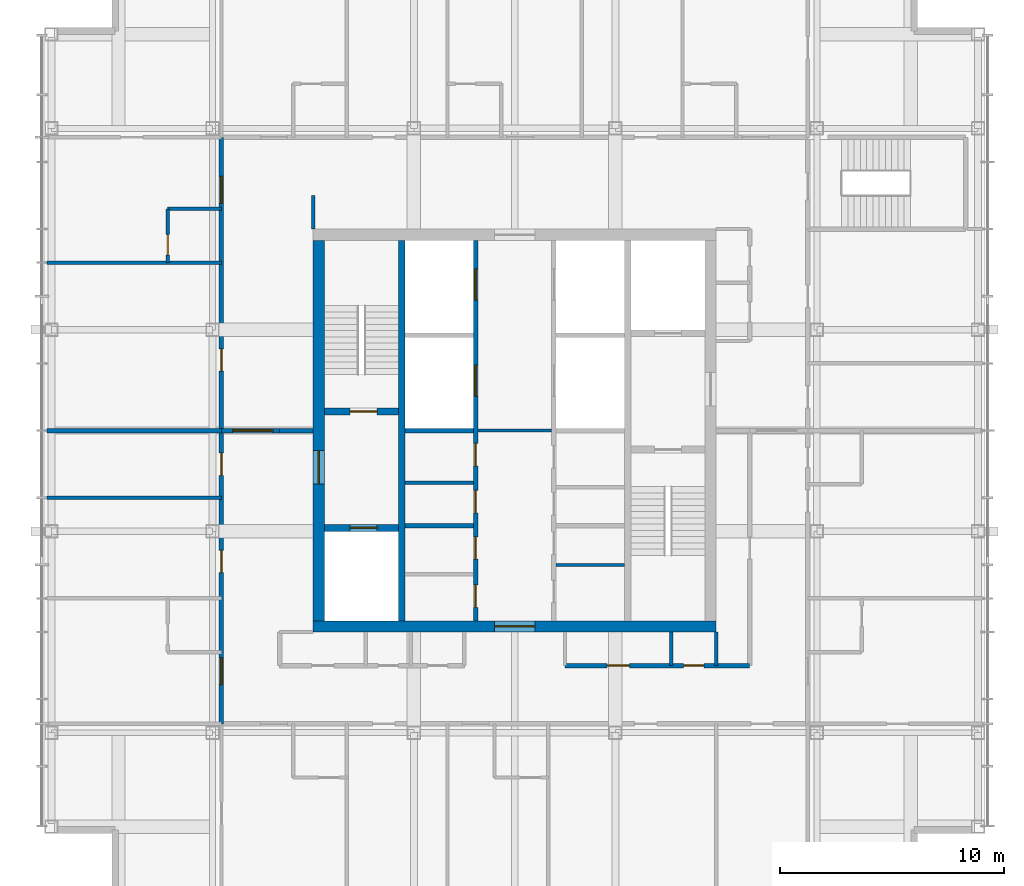
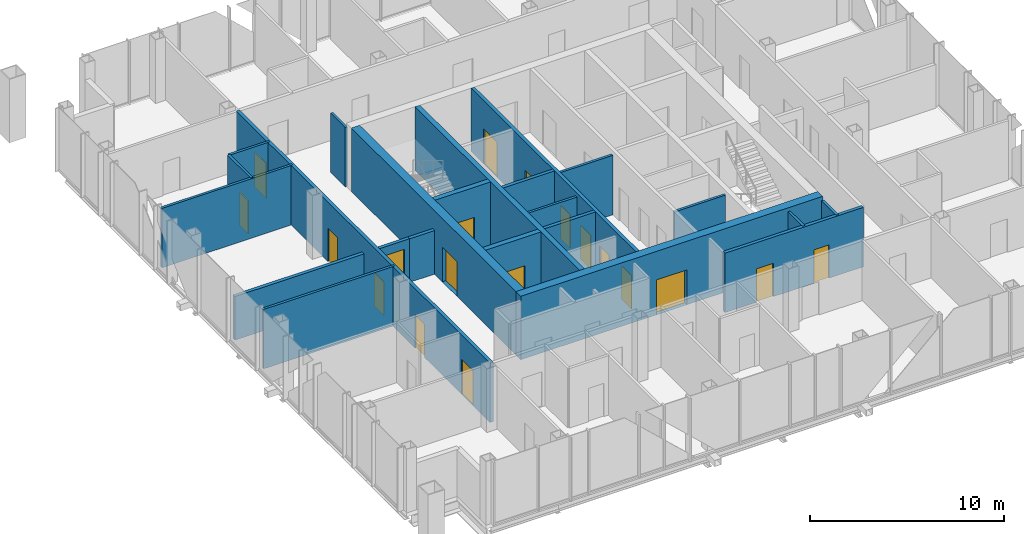
# One storey, part 8 of 13: 23 walls, 19 doors, 19 openings.
"""IFC4 building model written with IfcOpenShell, lengths in metres."""

from ifc_helpers import new_model, si_unit, direction, frame, frame_2d, origin, place, context, subcontext, project, spatial, rectangle, extrude, material, layer, layer_set, type_object, element, fill, save


model = new_model("IFC4")

# Units and contexts
model_context = context("Model", 3, precision=1e-05, world=origin(), true_north=direction((0.0, 1.0)))
body_context = subcontext(model_context, "Body", "Model", "MODEL_VIEW")
ifc_project = project(units=[si_unit("LENGTHUNIT", "METRE"), si_unit("AREAUNIT", "SQUARE_METRE"), si_unit("VOLUMEUNIT", "CUBIC_METRE"), si_unit("PLANEANGLEUNIT", "RADIAN"), si_unit("MASSUNIT", "GRAM", prefix="KILO")], contexts=[model_context])

# Site, building, storey
site_placement = place(None, origin())
site = spatial("IfcSite", under=ifc_project, at=site_placement, CompositionType="ELEMENT")
building_placement = place(site_placement, origin())
building = spatial("IfcBuilding", under=site, at=building_placement, Name="Malebo Sky Hospital", CompositionType="ELEMENT")
storey_placement = place(building_placement, frame((0.0, 0.0, 274.0)))
storey = spatial("IfcBuildingStorey", under=building, at=storey_placement, Name="L66", CompositionType="ELEMENT", Elevation=274.0)

# Wall, openings, doors
ifc_material_1 = material(Name="Concrete C80/95", Category="concrete")
ifc_layer_1 = layer(ifc_material_1, 0.199951171875)
ifc_layer_set_1 = layer_set([ifc_layer_1], Name="CORE INNER WALL 200")
wall_type_1 = type_object("IfcWallType", Name="CORE INNER WALL 200", PredefinedType="SHEAR", material=ifc_layer_set_1)
wall_1_placement = place(storey_placement, frame((58.25, 53.5, 0.0), z_axis=(0.0, 0.0, 1.0), x_axis=(0.0, 1.0, 0.0)))
wall_1 = element("IfcWall", 1, at=wall_1_placement, inside=storey, type_object=wall_type_1, Name="Core wall LW L66", PredefinedType="SHEAR", context=body_context, shape_type="SweptSolid", body=[
    extrude(rectangle(XDim=17.0, YDim=0.199951171875, at=frame_2d((8.5, 0.0))), origin(), (0.0, 0.0, 1.0), 4.0),
])
opening_1_placement = place(wall_1_placement, frame((0.60009765625, 0.0, 0.0)))
opening_1 = element("IfcOpeningElement", 2, at=opening_1_placement, cuts=wall_1, Name="Opening D17", PredefinedType="OPENING", context=body_context, shape_type="SweptSolid", body=[
    extrude(rectangle(XDim=1.0, YDim=2.10009765625, at=frame_2d((0.5, 1.050048828125))), frame((0.0, 0.10986328125, 0.0), z_axis=(0.0, -1.0, 0.0), x_axis=(1.0, 0.0, 0.0)), (0.0, 0.0, 1.0), 0.219970703125),
])
opening_2_placement = place(wall_1_placement, frame((2.75, 0.0, 0.0)))
opening_2 = element("IfcOpeningElement", 3, at=opening_2_placement, cuts=wall_1, Name="Opening D17", PredefinedType="OPENING", context=body_context, shape_type="SweptSolid", body=[
    extrude(rectangle(XDim=1.0, YDim=2.10009765625, at=frame_2d((0.5, 1.050048828125))), frame((0.0, 0.10986328125, 0.0), z_axis=(0.0, -1.0, 0.0), x_axis=(1.0, 0.0, 0.0)), (0.0, 0.0, 1.0), 0.219970703125),
])
opening_3_placement = place(wall_1_placement, frame((4.823974609375, 0.0, 0.0)))
opening_3 = element("IfcOpeningElement", 4, at=opening_3_placement, cuts=wall_1, Name="Opening D17", PredefinedType="OPENING", context=body_context, shape_type="SweptSolid", body=[
    extrude(rectangle(XDim=1.0, YDim=2.10009765625, at=frame_2d((0.5, 1.050048828125))), frame((0.0, 0.10986328125, 0.0), z_axis=(0.0, -1.0, 0.0), x_axis=(1.0, 0.0, 0.0)), (0.0, 0.0, 1.0), 0.219970703125),
])
opening_4_placement = place(wall_1_placement, frame((6.924072265625, 0.0, 0.0)))
opening_4 = element("IfcOpeningElement", 5, at=opening_4_placement, cuts=wall_1, Name="Opening D17", PredefinedType="OPENING", context=body_context, shape_type="SweptSolid", body=[
    extrude(rectangle(XDim=1.0, YDim=2.10009765625, at=frame_2d((0.5, 1.050048828125))), frame((0.0, 0.10986328125, 0.0), z_axis=(0.0, -1.0, 0.0), x_axis=(1.0, 0.0, 0.0)), (0.0, 0.0, 1.0), 0.219970703125),
])
opening_5_placement = place(wall_1_placement, frame((10.02490234375, 0.0, 0.0)))
opening_5 = element("IfcOpeningElement", 6, at=opening_5_placement, cuts=wall_1, Name="Opening LD1", PredefinedType="OPENING", context=body_context, shape_type="SweptSolid", body=[
    extrude(rectangle(XDim=1.39990234375, YDim=2.199951171875, at=frame_2d((0.699951171875, 1.10009765625))), frame((0.0, 0.10986328125, 0.0), z_axis=(0.0, -1.0, 0.0), x_axis=(1.0, 0.0, 0.0)), (0.0, 0.0, 1.0), 0.219970703125),
])
opening_6_placement = place(wall_1_placement, frame((14.324951171875, 0.0, 0.0)))
opening_6 = element("IfcOpeningElement", 7, at=opening_6_placement, cuts=wall_1, Name="Opening LD1", PredefinedType="OPENING", context=body_context, shape_type="SweptSolid", body=[
    extrude(rectangle(XDim=1.39990234375, YDim=2.199951171875, at=frame_2d((0.699951171875, 1.10009765625))), frame((0.0, 0.10986328125, 0.0), z_axis=(0.0, -1.0, 0.0), x_axis=(1.0, 0.0, 0.0)), (0.0, 0.0, 1.0), 0.219970703125),
])
ifc_material_2 = material(Name="Hardwood-faced door leaf in steel frame", Category="steel")
door_type_1 = type_object("IfcDoorType", Name="FIRE DOOR 1000", OperationType="SINGLE_SWING_LEFT", PredefinedType="DOOR", material=ifc_material_2)
door_1_placement = place(opening_1_placement, origin())
door_1 = element("IfcDoor", 8, at=door_1_placement, inside=storey, type_object=door_type_1, Name="Equipment store door", OperationType="SINGLE_SWING_RIGHT", OverallHeight=2.10009765625, OverallWidth=1.0, PredefinedType="DOOR", context=body_context, shape_type="SweptSolid", body=[
    extrude(rectangle(XDim=1.0, YDim=2.10009765625, at=frame_2d((0.5, 1.050048828125))), frame((0.0, 0.02490234375, 0.0), z_axis=(0.0, -1.0, 0.0), x_axis=(1.0, 0.0, 0.0)), (0.0, 0.0, 1.0), 0.050048828125),
])
fill(opening_1, door_1)
door_2_placement = place(opening_2_placement, origin())
door_2 = element("IfcDoor", 9, at=door_2_placement, inside=storey, type_object=door_type_1, Name="Linen store door", OperationType="SINGLE_SWING_RIGHT", OverallHeight=2.10009765625, OverallWidth=1.0, PredefinedType="DOOR", context=body_context, shape_type="SweptSolid", body=[
    extrude(rectangle(XDim=1.0, YDim=2.10009765625, at=frame_2d((0.5, 1.050048828125))), frame((0.0, 0.02490234375, 0.0), z_axis=(0.0, -1.0, 0.0), x_axis=(1.0, 0.0, 0.0)), (0.0, 0.0, 1.0), 0.050048828125),
])
fill(opening_2, door_2)
door_3_placement = place(opening_3_placement, origin())
door_3 = element("IfcDoor", 10, at=door_3_placement, inside=storey, type_object=door_type_1, Name="Supplies store door", OperationType="SINGLE_SWING_RIGHT", OverallHeight=2.10009765625, OverallWidth=1.0, PredefinedType="DOOR", context=body_context, shape_type="SweptSolid", body=[
    extrude(rectangle(XDim=1.0, YDim=2.10009765625, at=frame_2d((0.5, 1.050048828125))), frame((0.0, 0.02490234375, 0.0), z_axis=(0.0, -1.0, 0.0), x_axis=(1.0, 0.0, 0.0)), (0.0, 0.0, 1.0), 0.050048828125),
])
fill(opening_3, door_3)
door_4_placement = place(opening_4_placement, origin())
door_4 = element("IfcDoor", 11, at=door_4_placement, inside=storey, type_object=door_type_1, Name="Mattress store door", OperationType="SINGLE_SWING_RIGHT", OverallHeight=2.10009765625, OverallWidth=1.0, PredefinedType="DOOR", context=body_context, shape_type="SweptSolid", body=[
    extrude(rectangle(XDim=1.0, YDim=2.10009765625, at=frame_2d((0.5, 1.050048828125))), frame((0.0, 0.02490234375, 0.0), z_axis=(0.0, -1.0, 0.0), x_axis=(1.0, 0.0, 0.0)), (0.0, 0.0, 1.0), 0.050048828125),
])
fill(opening_4, door_4)
ifc_material_3 = material(Name="Stainless steel sliding landing door", Category="steel")
door_type_2 = type_object("IfcDoorType", Name="LIFT LANDING DOOR 1400", OperationType="SLIDING_TO_LEFT", PredefinedType="DOOR", material=ifc_material_3)
door_5_placement = place(opening_5_placement, origin())
door_5 = element("IfcDoor", 12, at=door_5_placement, inside=storey, type_object=door_type_2, Name="Lift W3 landing door", OperationType="SLIDING_TO_LEFT", OverallHeight=2.199951171875, OverallWidth=1.39990234375, PredefinedType="DOOR", context=body_context, shape_type="SweptSolid", body=[
    extrude(rectangle(XDim=1.39990234375, YDim=2.199951171875, at=frame_2d((0.699951171875, 1.10009765625))), frame((0.0, 0.02490234375, 0.0), z_axis=(0.0, -1.0, 0.0), x_axis=(1.0, 0.0, 0.0)), (0.0, 0.0, 1.0), 0.050048828125),
])
fill(opening_5, door_5)
door_6_placement = place(opening_6_placement, origin())
door_6 = element("IfcDoor", 13, at=door_6_placement, inside=storey, type_object=door_type_2, Name="Lift W4 landing door", OperationType="SLIDING_TO_LEFT", OverallHeight=2.199951171875, OverallWidth=1.39990234375, PredefinedType="DOOR", context=body_context, shape_type="SweptSolid", body=[
    extrude(rectangle(XDim=1.39990234375, YDim=2.199951171875, at=frame_2d((0.699951171875, 1.10009765625))), frame((0.0, 0.02490234375, 0.0), z_axis=(0.0, -1.0, 0.0), x_axis=(1.0, 0.0, 0.0)), (0.0, 0.0, 1.0), 0.050048828125),
])
fill(opening_6, door_6)

# Walls
for number, where, z_axis, x_axis, name in (
    (14, (55.10009765625, 57.75, 0.0), (0.0, 0.0, 1.0), (1.0, 0.0, 0.0), "Core wall SW0 L66"),
    (15, (55.10009765625, 62.0, 0.0), (0.0, 0.0, 1.0), (1.0, 0.0, 0.0), "Core wall SW1 L66"),
):
    element("IfcWall", number, at=place(storey_placement, frame(where, z_axis=z_axis, x_axis=x_axis)), inside=storey, type_object=wall_type_1, Name=name, PredefinedType="SHEAR", context=body_context, shape_type="SweptSolid", body=[
        extrude(rectangle(XDim=3.0498046875, YDim=0.199951171875, at=frame_2d((1.52490234375, 0.0))), origin(), (0.0, 0.0, 1.0), 4.0),
    ])
ifc_layer_2 = layer(ifc_material_1, 0.300048828125)
ifc_layer_set_2 = layer_set([ifc_layer_2], Name="CORE INNER WALL 300")
wall_type_2 = type_object("IfcWallType", Name="CORE INNER WALL 300", PredefinedType="SHEAR", material=ifc_layer_set_2)
wall_2_placement = place(storey_placement, frame((54.949951171875, 53.5, 0.0), z_axis=(0.0, 0.0, 1.0), x_axis=(0.0, 1.0, 0.0)))
element("IfcWall", 16, at=wall_2_placement, inside=storey, type_object=wall_type_2, Name="Core wall XW L66", PredefinedType="SHEAR", context=body_context, shape_type="SweptSolid", body=[
    extrude(rectangle(XDim=17.0, YDim=0.300048828125, at=frame_2d((8.5, 0.0))), origin(), (0.0, 0.0, 1.0), 4.0),
])

# Wall, opening, door
wall_3_placement = place(storey_placement, frame((51.5, 62.85009765625, 0.0), z_axis=(0.0, 0.0, 1.0), x_axis=(1.0, 0.0, 0.0)))
wall_3 = element("IfcWall", 17, at=wall_3_placement, inside=storey, type_object=wall_type_2, Name="Core wall W1 L66", PredefinedType="SHEAR", context=body_context, shape_type="SweptSolid", body=[
    extrude(rectangle(XDim=3.300048828125, YDim=0.300048828125, at=frame_2d((1.64990234375, 0.0))), origin(), (0.0, 0.0, 1.0), 4.0),
])
opening_7_placement = place(wall_3_placement, frame((1.14990234375, 0.0, 0.0)))
opening_7 = element("IfcOpeningElement", 18, at=opening_7_placement, cuts=wall_3, Name="Opening D08", PredefinedType="OPENING", context=body_context, shape_type="SweptSolid", body=[
    extrude(rectangle(XDim=1.199951171875, YDim=2.10009765625, at=frame_2d((0.60009765625, 1.050048828125))), frame((0.0, 0.159912109375, 0.0), z_axis=(0.0, -1.0, 0.0), x_axis=(1.0, 0.0, 0.0)), (0.0, 0.0, 1.0), 0.320068359375),
])
door_type_3 = type_object("IfcDoorType", Name="STAIR DOOR 1200", OperationType="SINGLE_SWING_LEFT", PredefinedType="DOOR", material=ifc_material_2)
door_7_placement = place(opening_7_placement, origin())
door_7 = element("IfcDoor", 19, at=door_7_placement, inside=storey, type_object=door_type_3, Name="Stair S1 door", OperationType="SINGLE_SWING_RIGHT", OverallHeight=2.10009765625, OverallWidth=1.199951171875, PredefinedType="DOOR", context=body_context, shape_type="SweptSolid", body=[
    extrude(rectangle(XDim=1.199951171875, YDim=2.10009765625, at=frame_2d((0.60009765625, 1.050048828125))), frame((0.0, 0.02490234375, 0.0), z_axis=(0.0, -1.0, 0.0), x_axis=(1.0, 0.0, 0.0)), (0.0, 0.0, 1.0), 0.050048828125),
])
fill(opening_7, door_7)

wall_4_placement = place(storey_placement, frame((51.5, 57.64990234375, 0.0), z_axis=(0.0, 0.0, 1.0), x_axis=(1.0, 0.0, 0.0)))
wall_4 = element("IfcWall", 20, at=wall_4_placement, inside=storey, type_object=wall_type_2, Name="Core wall W2 L66", PredefinedType="SHEAR", context=body_context, shape_type="SweptSolid", body=[
    extrude(rectangle(XDim=3.300048828125, YDim=0.300048828125, at=frame_2d((1.64990234375, 0.0))), origin(), (0.0, 0.0, 1.0), 4.0),
])
opening_8_placement = place(wall_4_placement, frame((1.14990234375, 0.0, 0.0)))
opening_8 = element("IfcOpeningElement", 21, at=opening_8_placement, cuts=wall_4, Name="Opening LD2", PredefinedType="OPENING", context=body_context, shape_type="SweptSolid", body=[
    extrude(rectangle(XDim=1.199951171875, YDim=2.199951171875, at=frame_2d((0.60009765625, 1.10009765625))), frame((0.0, 0.159912109375, 0.0), z_axis=(0.0, -1.0, 0.0), x_axis=(1.0, 0.0, 0.0)), (0.0, 0.0, 1.0), 0.320068359375),
])
door_type_4 = type_object("IfcDoorType", Name="FIRE-FIGHTING LIFT LANDING DOOR 1200", OperationType="SLIDING_TO_LEFT", PredefinedType="DOOR", material=ifc_material_3)
door_8_placement = place(opening_8_placement, origin())
door_8 = element("IfcDoor", 22, at=door_8_placement, inside=storey, type_object=door_type_4, Name="Lift FL1 landing door", OperationType="SLIDING_TO_LEFT", OverallHeight=2.199951171875, OverallWidth=1.199951171875, PredefinedType="DOOR", context=body_context, shape_type="SweptSolid", body=[
    extrude(rectangle(XDim=1.199951171875, YDim=2.199951171875, at=frame_2d((0.60009765625, 1.10009765625))), frame((0.0, 0.02490234375, 0.0), z_axis=(0.0, -1.0, 0.0), x_axis=(1.0, 0.0, 0.0)), (0.0, 0.0, 1.0), 0.050048828125),
])
fill(opening_8, door_8)

ifc_layer_3 = layer(ifc_material_1, 0.5)
ifc_layer_set_3 = layer_set([ifc_layer_3], Name="CORE WALL 500")
wall_type_3 = type_object("IfcWallType", Name="CORE WALL 500", PredefinedType="SHEAR", material=ifc_layer_set_3)
wall_5_placement = place(storey_placement, frame((51.0, 53.25, 0.0), z_axis=(0.0, 0.0, 1.0), x_axis=(1.0, 0.0, 0.0)))
wall_5 = element("IfcWall", 23, at=wall_5_placement, inside=storey, type_object=wall_type_3, Name="Core wall S L66", PredefinedType="SHEAR", context=body_context, shape_type="SweptSolid", body=[
    extrude(rectangle(XDim=18.0, YDim=0.5, at=frame_2d((9.0, 0.0))), origin(), (0.0, 0.0, 1.0), 4.0),
])
opening_9_placement = place(wall_5_placement, frame((8.10009765625, 0.0, 0.0)))
opening_9 = element("IfcOpeningElement", 24, at=opening_9_placement, cuts=wall_5, Name="Opening D06", PredefinedType="OPENING", context=body_context, shape_type="SweptSolid", body=[
    extrude(rectangle(XDim=1.800048828125, YDim=2.199951171875, at=frame_2d((0.89990234375, 1.10009765625))), frame((0.0, 0.260009765625, 0.0), z_axis=(0.0, -1.0, 0.0), x_axis=(1.0, 0.0, 0.0)), (0.0, 0.0, 1.0), 0.52001953125),
])
door_type_5 = type_object("IfcDoorType", Name="LOBBY DOOR PAIR 1800", OperationType="DOUBLE_DOOR_SINGLE_SWING", PredefinedType="DOOR", material=ifc_material_2)
door_9_placement = place(opening_9_placement, origin())
door_9 = element("IfcDoor", 25, at=door_9_placement, inside=storey, type_object=door_type_5, Name="Service lobby door south", OperationType="DOUBLE_DOOR_SINGLE_SWING", OverallHeight=2.199951171875, OverallWidth=1.800048828125, PredefinedType="DOOR", context=body_context, shape_type="SweptSolid", body=[
    extrude(rectangle(XDim=1.800048828125, YDim=2.199951171875, at=frame_2d((0.89990234375, 1.10009765625))), frame((0.0, 0.02490234375, 0.0), z_axis=(0.0, -1.0, 0.0), x_axis=(1.0, 0.0, 0.0)), (0.0, 0.0, 1.0), 0.050048828125),
])
fill(opening_9, door_9)

wall_6_placement = place(storey_placement, frame((51.25, 53.5, 0.0), z_axis=(0.0, 0.0, 1.0), x_axis=(0.0, 1.0, 0.0)))
wall_6 = element("IfcWall", 26, at=wall_6_placement, inside=storey, type_object=wall_type_3, Name="Core wall W L66", PredefinedType="SHEAR", context=body_context, shape_type="SweptSolid", body=[
    extrude(rectangle(XDim=17.0, YDim=0.5, at=frame_2d((8.5, 0.0))), origin(), (0.0, 0.0, 1.0), 4.0),
])
opening_10_placement = place(wall_6_placement, frame((6.10009765625, 0.0, 0.0)))
opening_10 = element("IfcOpeningElement", 27, at=opening_10_placement, cuts=wall_6, Name="Opening D07", PredefinedType="OPENING", context=body_context, shape_type="SweptSolid", body=[
    extrude(rectangle(XDim=1.5, YDim=2.199951171875, at=frame_2d((0.75, 1.10009765625))), frame((0.0, 0.260009765625, 0.0), z_axis=(0.0, -1.0, 0.0), x_axis=(1.0, 0.0, 0.0)), (0.0, 0.0, 1.0), 0.52001953125),
])
door_type_6 = type_object("IfcDoorType", Name="FIRE-FIGHTING LOBBY DOOR PAIR 1500", OperationType="DOUBLE_DOOR_SINGLE_SWING", PredefinedType="DOOR", material=ifc_material_2)
door_10_placement = place(opening_10_placement, origin())
door_10 = element("IfcDoor", 28, at=door_10_placement, inside=storey, type_object=door_type_6, Name="Fire-fighting lobby door west", OperationType="DOUBLE_DOOR_SINGLE_SWING", OverallHeight=2.199951171875, OverallWidth=1.5, PredefinedType="DOOR", context=body_context, shape_type="SweptSolid", body=[
    extrude(rectangle(XDim=1.5, YDim=2.199951171875, at=frame_2d((0.75, 1.10009765625))), frame((0.0, 0.02490234375, 0.0), z_axis=(0.0, -1.0, 0.0), x_axis=(1.0, 0.0, 0.0)), (0.0, 0.0, 1.0), 0.050048828125),
])
fill(opening_10, door_10)

# Wall, openings, doors
ifc_material_4 = material(Name="Gypsum board on steel studs", Category="steel")
ifc_layer_4 = layer(ifc_material_4, 0.199951171875)
ifc_layer_set_4 = layer_set([ifc_layer_4], Name="CORRIDOR WALL 200")
wall_type_4 = type_object("IfcWallType", Name="CORRIDOR WALL 200", PredefinedType="PARTITIONING", material=ifc_layer_set_4)
wall_7_placement = place(storey_placement, frame((46.89990234375, 48.89990234375, 0.0), z_axis=(0.0, 0.0, 1.0), x_axis=(0.0, 1.0, 0.0)))
wall_7 = element("IfcWall", 29, at=wall_7_placement, inside=storey, type_object=wall_type_4, Name="Corridor Wall 200 WCO", PredefinedType="PARTITIONING", context=body_context, shape_type="SweptSolid", body=[
    extrude(rectangle(XDim=26.2001953125, YDim=0.199951171875, at=frame_2d((13.10009765625, 0.0))), origin(), (0.0, 0.0, 1.0), 3.75),
])
opening_11_placement = place(wall_7_placement, frame((1.75, 0.0, 0.0)))
opening_11 = element("IfcOpeningElement", 30, at=opening_11_placement, cuts=wall_7, Name="Opening D01", PredefinedType="OPENING", context=body_context, shape_type="SweptSolid", body=[
    extrude(rectangle(XDim=1.199951171875, YDim=2.199951171875, at=frame_2d((0.60009765625, 1.10009765625))), frame((0.0, 0.10986328125, 0.0), z_axis=(0.0, -1.0, 0.0), x_axis=(1.0, 0.0, 0.0)), (0.0, 0.0, 1.0), 0.219970703125),
])
opening_12_placement = place(wall_7_placement, frame((6.75, 0.0, 0.0)))
opening_12 = element("IfcOpeningElement", 31, at=opening_12_placement, cuts=wall_7, Name="Opening D03", PredefinedType="OPENING", context=body_context, shape_type="SweptSolid", body=[
    extrude(rectangle(XDim=1.0, YDim=2.10009765625, at=frame_2d((0.5, 1.050048828125))), frame((0.0, 0.10986328125, 0.0), z_axis=(0.0, -1.0, 0.0), x_axis=(1.0, 0.0, 0.0)), (0.0, 0.0, 1.0), 0.219970703125),
])
opening_13_placement = place(wall_7_placement, frame((11.10009765625, 0.0, 0.0)))
opening_13 = element("IfcOpeningElement", 32, at=opening_13_placement, cuts=wall_7, Name="Opening D03", PredefinedType="OPENING", context=body_context, shape_type="SweptSolid", body=[
    extrude(rectangle(XDim=1.0, YDim=2.10009765625, at=frame_2d((0.5, 1.050048828125))), frame((0.0, 0.10986328125, 0.0), z_axis=(0.0, -1.0, 0.0), x_axis=(1.0, 0.0, 0.0)), (0.0, 0.0, 1.0), 0.219970703125),
])
opening_14_placement = place(wall_7_placement, frame((15.75, 0.0, 0.0)))
opening_14 = element("IfcOpeningElement", 33, at=opening_14_placement, cuts=wall_7, Name="Opening D03", PredefinedType="OPENING", context=body_context, shape_type="SweptSolid", body=[
    extrude(rectangle(XDim=1.0, YDim=2.10009765625, at=frame_2d((0.5, 1.050048828125))), frame((0.0, 0.10986328125, 0.0), z_axis=(0.0, -1.0, 0.0), x_axis=(1.0, 0.0, 0.0)), (0.0, 0.0, 1.0), 0.219970703125),
])
opening_15_placement = place(wall_7_placement, frame((23.25, 0.0, 0.0)))
opening_15 = element("IfcOpeningElement", 34, at=opening_15_placement, cuts=wall_7, Name="Opening D01", PredefinedType="OPENING", context=body_context, shape_type="SweptSolid", body=[
    extrude(rectangle(XDim=1.199951171875, YDim=2.199951171875, at=frame_2d((0.60009765625, 1.10009765625))), frame((0.0, 0.10986328125, 0.0), z_axis=(0.0, -1.0, 0.0), x_axis=(1.0, 0.0, 0.0)), (0.0, 0.0, 1.0), 0.219970703125),
])
door_type_7 = type_object("IfcDoorType", Name="BED DOOR 1200", OperationType="SINGLE_SWING_LEFT", PredefinedType="DOOR", material=ifc_material_2)
door_11_placement = place(opening_11_placement, origin())
door_11 = element("IfcDoor", 35, at=door_11_placement, inside=storey, type_object=door_type_7, Name="Private patient suite door", OperationType="SINGLE_SWING_RIGHT", OverallHeight=2.199951171875, OverallWidth=1.199951171875, PredefinedType="DOOR", context=body_context, shape_type="SweptSolid", body=[
    extrude(rectangle(XDim=1.199951171875, YDim=2.199951171875, at=frame_2d((0.60009765625, 1.10009765625))), frame((0.0, 0.02490234375, 0.0), z_axis=(0.0, -1.0, 0.0), x_axis=(1.0, 0.0, 0.0)), (0.0, 0.0, 1.0), 0.050048828125),
])
fill(opening_11, door_11)
door_12_placement = place(opening_15_placement, origin())
door_12 = element("IfcDoor", 36, at=door_12_placement, inside=storey, type_object=door_type_7, Name="Private patient suite door", OperationType="SINGLE_SWING_LEFT", OverallHeight=2.199951171875, OverallWidth=1.199951171875, PredefinedType="DOOR", context=body_context, shape_type="SweptSolid", body=[
    extrude(rectangle(XDim=1.199951171875, YDim=2.199951171875, at=frame_2d((0.60009765625, 1.10009765625))), frame((0.0, 0.02490234375, 0.0), z_axis=(0.0, -1.0, 0.0), x_axis=(1.0, 0.0, 0.0)), (0.0, 0.0, 1.0), 0.050048828125),
])
fill(opening_15, door_12)
door_type_8 = type_object("IfcDoorType", Name="ROOM DOOR 1000", OperationType="SINGLE_SWING_LEFT", PredefinedType="DOOR", material=ifc_material_2)
door_13_placement = place(opening_12_placement, origin())
door_13 = element("IfcDoor", 37, at=door_13_placement, inside=storey, type_object=door_type_8, Name="Clean utility room door", OperationType="SINGLE_SWING_LEFT", OverallHeight=2.10009765625, OverallWidth=1.0, PredefinedType="DOOR", context=body_context, shape_type="SweptSolid", body=[
    extrude(rectangle(XDim=1.0, YDim=2.10009765625, at=frame_2d((0.5, 1.050048828125))), frame((0.0, 0.02490234375, 0.0), z_axis=(0.0, -1.0, 0.0), x_axis=(1.0, 0.0, 0.0)), (0.0, 0.0, 1.0), 0.050048828125),
])
fill(opening_12, door_13)
door_14_placement = place(opening_13_placement, origin())
door_14 = element("IfcDoor", 38, at=door_14_placement, inside=storey, type_object=door_type_8, Name="Medication room door", OperationType="SINGLE_SWING_RIGHT", OverallHeight=2.10009765625, OverallWidth=1.0, PredefinedType="DOOR", context=body_context, shape_type="SweptSolid", body=[
    extrude(rectangle(XDim=1.0, YDim=2.10009765625, at=frame_2d((0.5, 1.050048828125))), frame((0.0, 0.02490234375, 0.0), z_axis=(0.0, -1.0, 0.0), x_axis=(1.0, 0.0, 0.0)), (0.0, 0.0, 1.0), 0.050048828125),
])
fill(opening_13, door_14)
door_15_placement = place(opening_14_placement, origin())
door_15 = element("IfcDoor", 39, at=door_15_placement, inside=storey, type_object=door_type_8, Name="Treatment room door", OperationType="SINGLE_SWING_LEFT", OverallHeight=2.10009765625, OverallWidth=1.0, PredefinedType="DOOR", context=body_context, shape_type="SweptSolid", body=[
    extrude(rectangle(XDim=1.0, YDim=2.10009765625, at=frame_2d((0.5, 1.050048828125))), frame((0.0, 0.02490234375, 0.0), z_axis=(0.0, -1.0, 0.0), x_axis=(1.0, 0.0, 0.0)), (0.0, 0.0, 1.0), 0.050048828125),
])
fill(opening_14, door_15)

wall_8_placement = place(storey_placement, frame((70.5, 51.5, 0.0), z_axis=(0.0, 0.0, 1.0), x_axis=(-1.0, 0.0, 0.0)))
wall_8 = element("IfcWall", 40, at=wall_8_placement, inside=storey, type_object=wall_type_4, Name="Corridor Wall 200 SCI1", PredefinedType="PARTITIONING", context=body_context, shape_type="SweptSolid", body=[
    extrude(rectangle(XDim=8.25, YDim=0.199951171875, at=frame_2d((4.125, 0.0))), origin(), (0.0, 0.0, 1.0), 3.75),
])
opening_16_placement = place(wall_8_placement, frame((2.050048828125, 0.0, 0.0)))
opening_16 = element("IfcOpeningElement", 41, at=opening_16_placement, cuts=wall_8, Name="Opening D04", PredefinedType="OPENING", context=body_context, shape_type="SweptSolid", body=[
    extrude(rectangle(XDim=0.89990234375, YDim=2.10009765625, at=frame_2d((0.449951171875, 1.050048828125))), frame((0.0, 0.10986328125, 0.0), z_axis=(0.0, -1.0, 0.0), x_axis=(1.0, 0.0, 0.0)), (0.0, 0.0, 1.0), 0.219970703125),
])
opening_17_placement = place(wall_8_placement, frame((5.375, 0.0, 0.0)))
opening_17 = element("IfcOpeningElement", 42, at=opening_17_placement, cuts=wall_8, Name="Opening D03", PredefinedType="OPENING", context=body_context, shape_type="SweptSolid", body=[
    extrude(rectangle(XDim=1.0, YDim=2.10009765625, at=frame_2d((0.5, 1.050048828125))), frame((0.0, 0.10986328125, 0.0), z_axis=(0.0, -1.0, 0.0), x_axis=(1.0, 0.0, 0.0)), (0.0, 0.0, 1.0), 0.219970703125),
])
door_16_placement = place(opening_17_placement, origin())
door_16 = element("IfcDoor", 43, at=door_16_placement, inside=storey, type_object=door_type_8, Name="Linen store door", OperationType="SINGLE_SWING_LEFT", OverallHeight=2.10009765625, OverallWidth=1.0, PredefinedType="DOOR", context=body_context, shape_type="SweptSolid", body=[
    extrude(rectangle(XDim=1.0, YDim=2.10009765625, at=frame_2d((0.5, 1.050048828125))), frame((0.0, 0.02490234375, 0.0), z_axis=(0.0, -1.0, 0.0), x_axis=(1.0, 0.0, 0.0)), (0.0, 0.0, 1.0), 0.050048828125),
])
fill(opening_17, door_16)
door_type_9 = type_object("IfcDoorType", Name="ROOM DOOR 900", OperationType="SINGLE_SWING_LEFT", PredefinedType="DOOR", material=ifc_material_2)
door_17_placement = place(opening_16_placement, origin())
door_17 = element("IfcDoor", 44, at=door_17_placement, inside=storey, type_object=door_type_9, Name="Staff WC door", OperationType="SINGLE_SWING_LEFT", OverallHeight=2.10009765625, OverallWidth=0.89990234375, PredefinedType="DOOR", context=body_context, shape_type="SweptSolid", body=[
    extrude(rectangle(XDim=0.89990234375, YDim=2.10009765625, at=frame_2d((0.449951171875, 1.050048828125))), frame((0.0, 0.02490234375, 0.0), z_axis=(0.0, -1.0, 0.0), x_axis=(1.0, 0.0, 0.0)), (0.0, 0.0, 1.0), 0.050048828125),
])
fill(opening_16, door_17)

# Walls
ifc_layer_5 = layer(ifc_material_4, 0.14990234375)
ifc_layer_set_5 = layer_set([ifc_layer_5], Name="PARTITION 150")
wall_type_5 = type_object("IfcWallType", Name="PARTITION 150", PredefinedType="PARTITIONING", material=ifc_layer_set_5)
wall_9_placement = place(storey_placement, frame((51.0, 71.0, 0.0), z_axis=(0.0, 0.0, 1.0), x_axis=(0.0, 1.0, 0.0)))
element("IfcWall", 45, at=wall_9_placement, inside=storey, type_object=wall_type_5, Name="Partition 150 NSP0", PredefinedType="PARTITIONING", context=body_context, shape_type="SweptSolid", body=[
    extrude(rectangle(XDim=1.5, YDim=0.14990234375, at=frame_2d((0.75, 0.0))), origin(), (0.0, 0.0, 1.0), 3.75),
])
for number, where, z_axis, x_axis, name in (
    (46, (46.89990234375, 59.0, 0.0), (0.0, 0.0, 1.0), (-1.0, 0.0, 0.0), "Partition 150 WP-3.0"),
    (47, (46.89990234375, 69.5, 0.0), (0.0, 0.0, 1.0), (-1.0, 0.0, 0.0), "Partition 150 WP+7.5"),
):
    element("IfcWall", number, at=place(storey_placement, frame(where, z_axis=z_axis, x_axis=x_axis)), inside=storey, type_object=wall_type_5, Name=name, PredefinedType="PARTITIONING", context=body_context, shape_type="SweptSolid", body=[
        extrude(rectangle(XDim=7.7998046875, YDim=0.14990234375, at=frame_2d((3.89990234375, 0.0))), origin(), (0.0, 0.0, 1.0), 3.75),
    ])

# Wall, opening, door
wall_10_placement = place(storey_placement, frame((44.5, 69.5, 0.0), z_axis=(0.0, 0.0, 1.0), x_axis=(0.0, 1.0, 0.0)))
wall_10 = element("IfcWall", 48, at=wall_10_placement, inside=storey, type_object=wall_type_5, Name="Partition 150 WE4F", PredefinedType="PARTITIONING", context=body_context, shape_type="SweptSolid", body=[
    extrude(rectangle(XDim=2.39990234375, YDim=0.14990234375, at=frame_2d((1.199951171875, 0.0))), origin(), (0.0, 0.0, 1.0), 3.75),
])
opening_18_placement = place(wall_10_placement, frame((0.35009765625, 0.0, 0.0)))
opening_18 = element("IfcOpeningElement", 49, at=opening_18_placement, cuts=wall_10, Name="Opening D02", PredefinedType="OPENING", context=body_context, shape_type="SweptSolid", body=[
    extrude(rectangle(XDim=0.89990234375, YDim=2.10009765625, at=frame_2d((0.449951171875, 1.050048828125))), frame((0.0, 0.0849609375, 0.0), z_axis=(0.0, -1.0, 0.0), x_axis=(1.0, 0.0, 0.0)), (0.0, 0.0, 1.0), 0.169921875),
])
door_type_10 = type_object("IfcDoorType", Name="EN-SUITE DOOR 900", OperationType="SINGLE_SWING_LEFT", PredefinedType="DOOR", material=ifc_material_2)
door_18_placement = place(opening_18_placement, origin())
door_18 = element("IfcDoor", 50, at=door_18_placement, inside=storey, type_object=door_type_10, Name="En-suite door", OperationType="SINGLE_SWING_LEFT", OverallHeight=2.10009765625, OverallWidth=0.89990234375, PredefinedType="DOOR", context=body_context, shape_type="SweptSolid", body=[
    extrude(rectangle(XDim=0.89990234375, YDim=2.10009765625, at=frame_2d((0.449951171875, 1.050048828125))), frame((0.0, 0.02490234375, 0.0), z_axis=(0.0, -1.0, 0.0), x_axis=(1.0, 0.0, 0.0)), (0.0, 0.0, 1.0), 0.050048828125),
])
fill(opening_18, door_18)

# Walls
wall_11_placement = place(storey_placement, frame((46.89990234375, 71.89990234375, 0.0), z_axis=(0.0, 0.0, 1.0), x_axis=(-1.0, 0.0, 0.0)))
element("IfcWall", 51, at=wall_11_placement, inside=storey, type_object=wall_type_5, Name="Partition 150 WE4S", PredefinedType="PARTITIONING", context=body_context, shape_type="SweptSolid", body=[
    extrude(rectangle(XDim=2.39990234375, YDim=0.14990234375, at=frame_2d((1.199951171875, 0.0))), origin(), (0.0, 0.0, 1.0), 3.75),
])
for number, where, z_axis, x_axis, name in (
    (52, (69.0, 53.0, 0.0), (0.0, 0.0, 1.0), (0.0, -1.0, 0.0), "Partition 150 SSP0"),
    (53, (67.0, 53.0, 0.0), (0.0, 0.0, 1.0), (0.0, -1.0, 0.0), "Partition 150 SSP-7.0"),
):
    element("IfcWall", number, at=place(storey_placement, frame(where, z_axis=z_axis, x_axis=x_axis)), inside=storey, type_object=wall_type_5, Name=name, PredefinedType="PARTITIONING", context=body_context, shape_type="SweptSolid", body=[
        extrude(rectangle(XDim=1.5, YDim=0.14990234375, at=frame_2d((0.75, 0.0))), origin(), (0.0, 0.0, 1.0), 3.75),
    ])
for number, where, z_axis, x_axis, name in (
    (54, (61.85009765625, 55.989990234375, 0.0), (0.0, 0.0, 1.0), (1.0, 0.0, 0.0), "Partition 150 SHE1"),
    (55, (55.10009765625, 59.673095703125, 0.0), (0.0, 0.0, 1.0), (1.0, 0.0, 0.0), "Partition 150 SHW2"),
):
    element("IfcWall", number, at=place(storey_placement, frame(where, z_axis=z_axis, x_axis=x_axis)), inside=storey, type_object=wall_type_5, Name=name, PredefinedType="PARTITIONING", context=body_context, shape_type="SweptSolid", body=[
        extrude(rectangle(XDim=3.0498046875, YDim=0.14990234375, at=frame_2d((1.52490234375, 0.0))), origin(), (0.0, 0.0, 1.0), 3.75),
    ])
wall_12_placement = place(storey_placement, frame((58.35009765625, 62.0, 0.0), z_axis=(0.0, 0.0, 1.0), x_axis=(1.0, 0.0, 0.0)))
element("IfcWall", 56, at=wall_12_placement, inside=storey, type_object=wall_type_5, Name="Partition 150 LBS", PredefinedType="PARTITIONING", context=body_context, shape_type="SweptSolid", body=[
    extrude(rectangle(XDim=3.2998046875, YDim=0.14990234375, at=frame_2d((1.64990234375, 0.0))), origin(), (0.0, 0.0, 1.0), 3.75),
])
ifc_material_5 = material(Name="Concrete blockwork", Category="masonry")
ifc_layer_6 = layer(ifc_material_5, 0.199951171875)
ifc_layer_set_6 = layer_set([ifc_layer_6], Name="SMOKE BARRIER WALL 200")
wall_type_6 = type_object("IfcWallType", Name="SMOKE BARRIER WALL 200", PredefinedType="SOLIDWALL", material=ifc_layer_set_6)
wall_13_placement = place(storey_placement, frame((46.89990234375, 62.0, 0.0), z_axis=(0.0, 0.0, 1.0), x_axis=(-1.0, 0.0, 0.0)))
element("IfcWall", 57, at=wall_13_placement, inside=storey, type_object=wall_type_6, Name="Smoke Barrier Wall 200 WP+0.0", PredefinedType="SOLIDWALL", context=body_context, shape_type="SweptSolid", body=[
    extrude(rectangle(XDim=7.7998046875, YDim=0.199951171875, at=frame_2d((3.89990234375, 0.0))), origin(), (0.0, 0.0, 1.0), 2.75),
])
wall_14_placement = place(storey_placement, frame((51.0, 62.0, 0.0), z_axis=(0.0, 0.0, 1.0), x_axis=(-1.0, 0.0, 0.0)))
element("IfcWall", 58, at=wall_14_placement, inside=storey, type_object=wall_type_6, Name="Smoke Barrier Wall 200 WSPB", PredefinedType="SOLIDWALL", context=body_context, shape_type="SweptSolid", body=[
    extrude(rectangle(XDim=1.5, YDim=0.199951171875, at=frame_2d((0.75, 0.0))), origin(), (0.0, 0.0, 1.0), 2.75),
])

# Wall, opening, door
wall_15_placement = place(storey_placement, frame((49.5, 62.0, 0.0), z_axis=(0.0, 0.0, 1.0), x_axis=(-1.0, 0.0, 0.0)))
wall_15 = element("IfcWall", 59, at=wall_15_placement, inside=storey, type_object=wall_type_6, Name="Smoke Barrier Wall 200 WSB", PredefinedType="SOLIDWALL", context=body_context, shape_type="SweptSolid", body=[
    extrude(rectangle(XDim=2.60009765625, YDim=0.199951171875, at=frame_2d((1.300048828125, 0.0))), origin(), (0.0, 0.0, 1.0), 2.75),
])
opening_19_placement = place(wall_15_placement, frame((0.300048828125, 0.0, 0.0)))
opening_19 = element("IfcOpeningElement", 60, at=opening_19_placement, cuts=wall_15, Name="Opening D05", PredefinedType="OPENING", context=body_context, shape_type="SweptSolid", body=[
    extrude(rectangle(XDim=1.800048828125, YDim=2.199951171875, at=frame_2d((0.89990234375, 1.10009765625))), frame((0.0, 0.10986328125, 0.0), z_axis=(0.0, -1.0, 0.0), x_axis=(1.0, 0.0, 0.0)), (0.0, 0.0, 1.0), 0.219970703125),
])
door_type_11 = type_object("IfcDoorType", Name="SMOKE DOOR PAIR 1800", OperationType="DOUBLE_DOOR_DOUBLE_SWING", PredefinedType="DOOR", material=ifc_material_2)
door_19_placement = place(opening_19_placement, origin())
door_19 = element("IfcDoor", 61, at=door_19_placement, inside=storey, type_object=door_type_11, Name="Smoke compartment door pair", OperationType="DOUBLE_DOOR_DOUBLE_SWING", OverallHeight=2.199951171875, OverallWidth=1.800048828125, PredefinedType="DOOR", context=body_context, shape_type="SweptSolid", body=[
    extrude(rectangle(XDim=1.800048828125, YDim=2.199951171875, at=frame_2d((0.89990234375, 1.10009765625))), frame((0.0, 0.02490234375, 0.0), z_axis=(0.0, -1.0, 0.0), x_axis=(1.0, 0.0, 0.0)), (0.0, 0.0, 1.0), 0.050048828125),
])
fill(opening_19, door_19)

save(model, "model.ifc")
